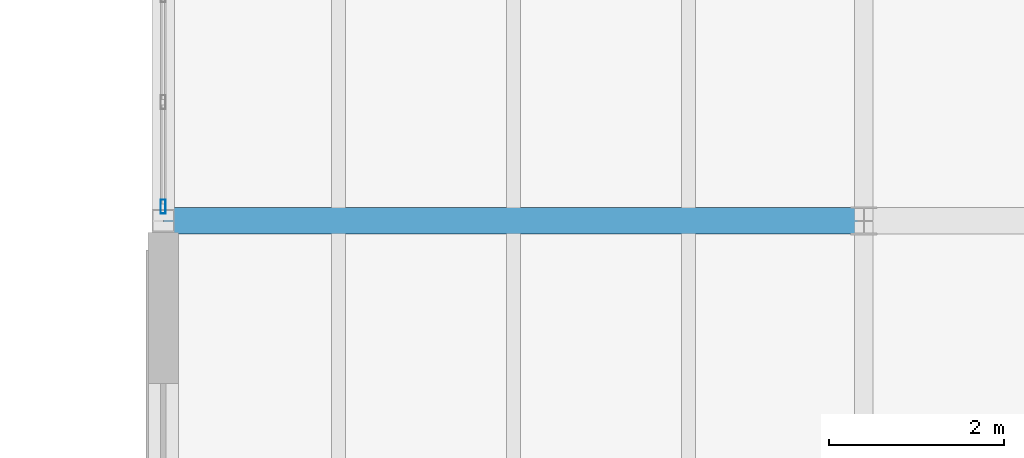
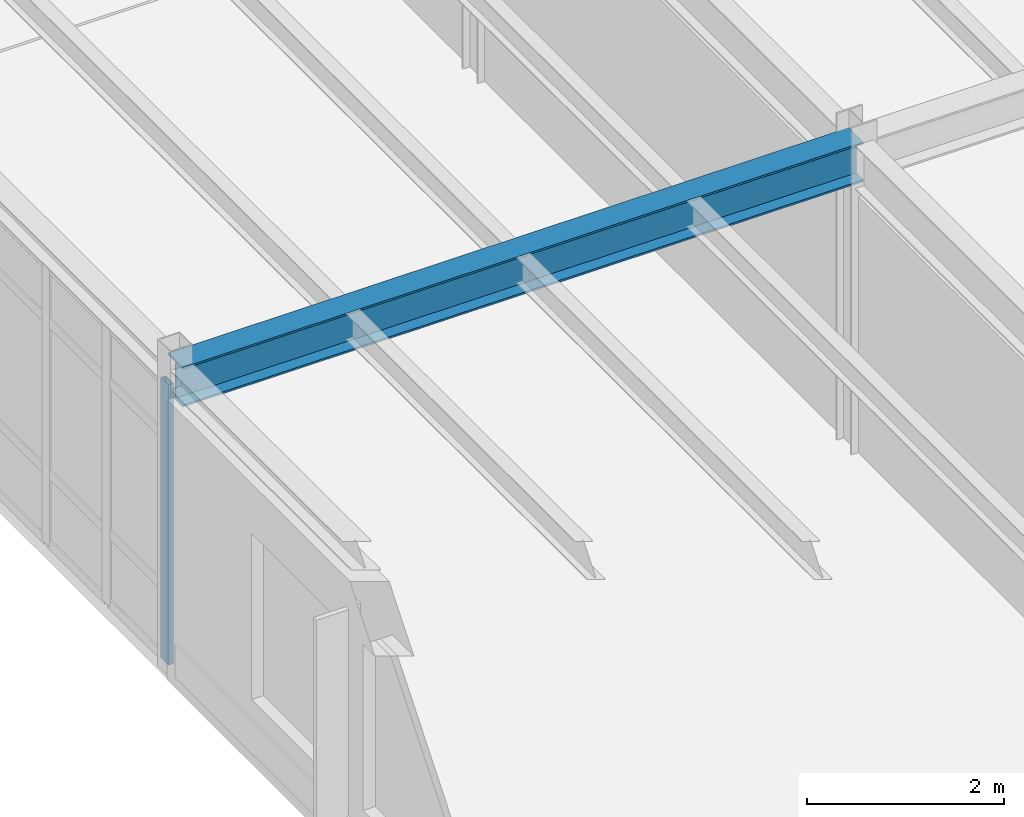
# One storey, part 111 of 189: 1 beam, 1 member, 1 element without a shape of its own.
"""IFC4 building model written with IfcOpenShell, lengths in metres."""

from ifc_helpers import new_model, si_unit, direction, frame, origin, origin_2d, place, context, subcontext, project, spatial, hollow_rectangle, i_section, extrude, material, layer, layer_set, material_profile, profile_set, type_object, element, aggregate, save


model = new_model("IFC4")

# Units and contexts
model_context = context("Model", 3, precision=1e-05, world=origin(), true_north=direction((0.0, 1.0)))
body_context = subcontext(model_context, "Body", "Model", "MODEL_VIEW")
ifc_project = project(units=[si_unit("LENGTHUNIT", "METRE"), si_unit("AREAUNIT", "SQUARE_METRE"), si_unit("VOLUMEUNIT", "CUBIC_METRE"), si_unit("PLANEANGLEUNIT", "RADIAN"), si_unit("MASSUNIT", "GRAM", prefix="KILO")], contexts=[model_context])

# Site, building, storey
site_placement = place(None, origin())
site = spatial("IfcSite", under=ifc_project, at=site_placement, CompositionType="ELEMENT")
building_placement = place(site_placement, origin())
building = spatial("IfcBuilding", under=site, at=building_placement, Name="Montecoro Central Library", CompositionType="ELEMENT")
storey_placement = place(building_placement, frame((0.0, 0.0, 9.179931640625)))
storey = spatial("IfcBuildingStorey", under=building, at=storey_placement, Name="L02", CompositionType="ELEMENT", Elevation=9.179931640625)

# Beam
ifc_material_1 = material(Name="Steel S355J2", Category="steel")
ifc_material_profile_1 = material_profile(ifc_material_1, i_section(OverallWidth=0.300048828125, OverallDepth=0.489990234375, WebThickness=0.011962890625, FlangeThickness=0.02294921875, at=origin_2d()), Name="HEA 500")
ifc_profile_set_1 = profile_set([ifc_material_profile_1], Name="Steel S355J2")
beam_type = type_object("IfcBeamType", Name="BM-G-HEA500", PredefinedType="USERDEFINED", material=ifc_profile_set_1)
beam_placement = place(storey_placement, frame((141.0048828125, 20.199951171875, 3.580078125), z_axis=(1.0, 0.0, 0.0), x_axis=(0.0, 1.0, 0.0)))
element("IfcBeam", 1, at=beam_placement, inside=storey, type_object=beam_type, Name="V6-L02-BX-1819-C", ObjectType="GIRDER", PredefinedType="USERDEFINED", context=body_context, shape_type="SweptSolid", body=[
    extrude(i_section(OverallWidth=0.300048828125, OverallDepth=0.489990234375, WebThickness=0.011962890625, FlangeThickness=0.02294921875, at=origin_2d()), origin(), (0.0, 0.0, 1.0), 7.990234375),
])

# Curtain wall, member
ifc_material_2 = material(Name="Bronze-anodised aluminium and low-E glazing", Category="aluminium")
ifc_layer = layer(ifc_material_2, 0.159912109375)
ifc_layer_set = layer_set([ifc_layer], Name="Bronze-anodised aluminium and low-E glazing")
curtain_wall_type = type_object("IfcCurtainWallType", Name="CWT-067", PredefinedType="NOTDEFINED", material=ifc_layer_set)
curtain_wall_placement = place(storey_placement, origin())
curtain_wall = element("IfcCurtainWall", 2, at=curtain_wall_placement, inside=storey, type_object=curtain_wall_type, Name="V6-L02-CW-W2", PredefinedType="NOTDEFINED")
ifc_material_3 = material(Name="Bronze-anodised aluminium", Category="aluminium")
ifc_material_profile_2 = material_profile(ifc_material_3, hollow_rectangle(XDim=0.06005859375, YDim=0.159912109375, WallThickness=0.00390625, at=origin_2d()), Name="CWM 160x60x4.0")
ifc_profile_set_2 = profile_set([ifc_material_profile_2], Name="Bronze-anodised aluminium")
member_type = type_object("IfcMemberType", Name="CWM-BRZ-60", PredefinedType="MULLION", material=ifc_profile_set_2)
member_placement = place(storey_placement, frame((141.0, 20.363037109375, 0.0), z_axis=(0.0, 0.0, 1.0), x_axis=(1.0, 0.0, 0.0)))
member = element("IfcMember", 3, at=member_placement, type_object=member_type, Name="CW-067 mullion 7", PredefinedType="MULLION", context=body_context, shape_type="SweptSolid", body=[
    extrude(hollow_rectangle(XDim=0.06005859375, YDim=0.159912109375, WallThickness=0.00390625, at=origin_2d()), origin(), (0.0, 0.0, 1.0), 3.47998046875),
])
aggregate(curtain_wall, [member])

save(model, "model.ifc")
